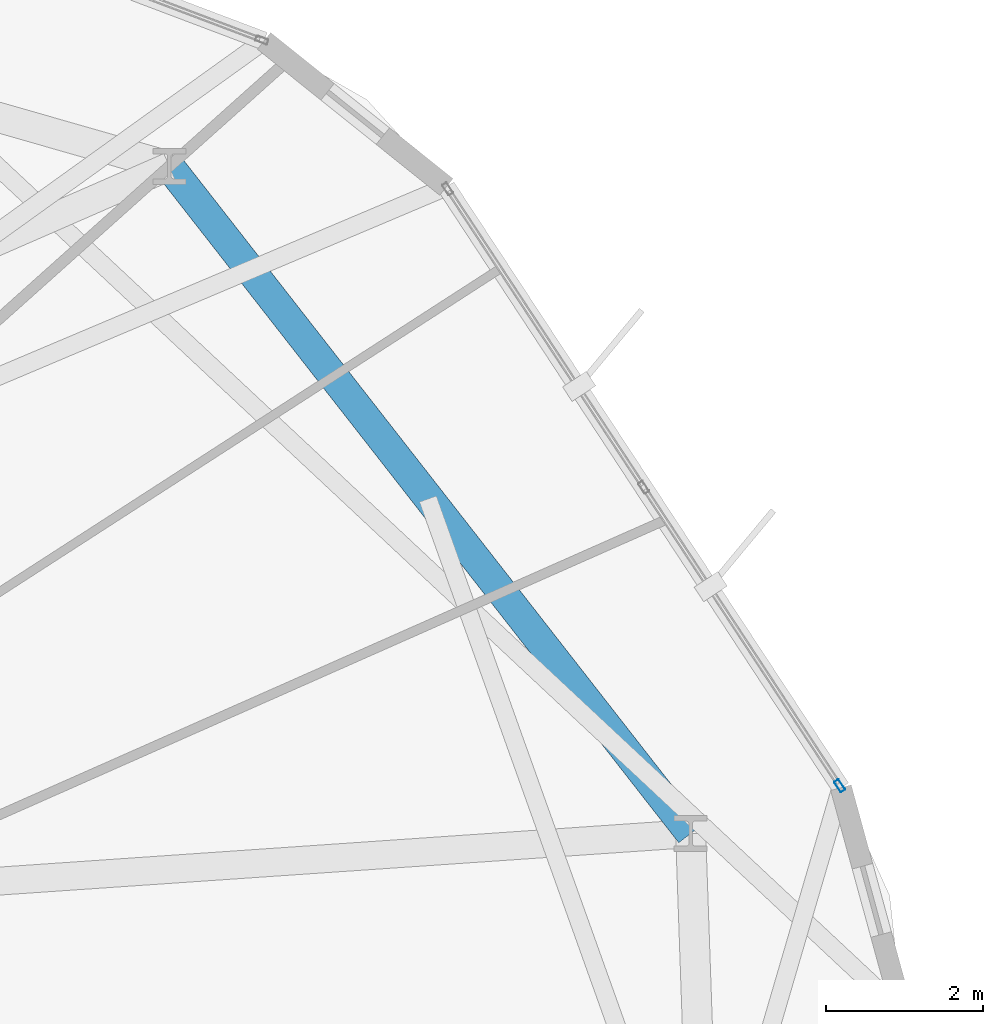
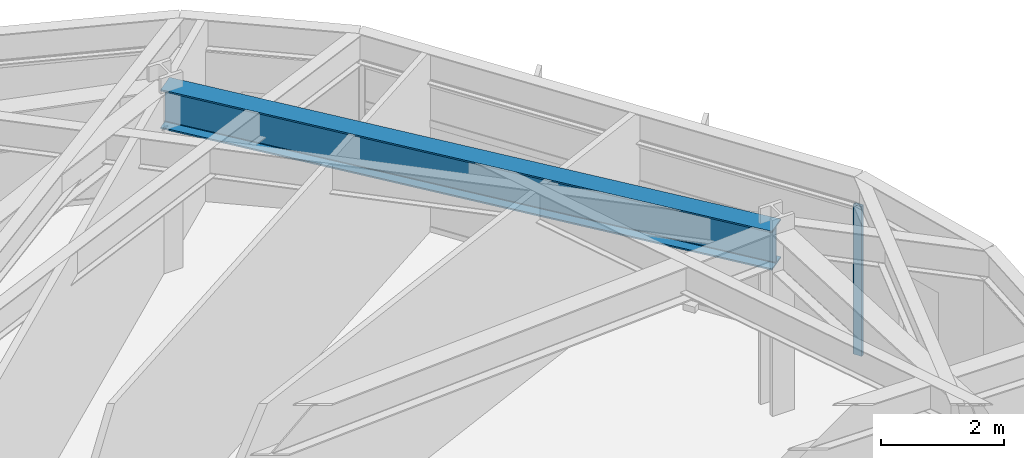
# One storey, part 12 of 25: 1 beam, 1 member, 1 element without a shape of its own.
"""IFC4 building model written with IfcOpenShell, lengths in metres."""

import ifcopenshell
import ifcopenshell.guid

model = None  # the IFC model being written
_history = None  # IfcOwnerHistory: only IFC2X3 demands one
_inside = {}  # id of a spatial element -> (the spatial element, [elements in it])
_under = {}  # id of a project, library or spatial element -> (it, [spatial elements below it])
_declared = {}  # id of a project -> (the project, [libraries it declares])
_typed = {}  # id of a type object -> (the type object, [elements of that type])
_made_of = {}  # id of a material, layer set ... -> (it, [elements and type objects made of it])


def new_model(schema):
    """Start an empty IFC model of exactly this schema.

    Asked for "IFC4X3", IfcOpenShell would pick the latest addendum, in which some entities
    have other attributes; the version numbers below select the first issue.
    IFC2X3 requires an IfcOwnerHistory on every rooted entity: one is made here for all.
    """
    global model, _history
    if schema == "IFC4X3":
        model = ifcopenshell.file(schema_version=(4, 3, 0, 0))
    else:
        model = ifcopenshell.file(schema=schema)
    _inside.clear()
    _under.clear()
    _declared.clear()
    _typed.clear()
    _made_of.clear()
    _history = None
    if model.schema == "IFC2X3":
        org = make("IfcOrganization", Name="unknown")
        user = make(
            "IfcPersonAndOrganization",
            ThePerson=make("IfcPerson", FamilyName="unknown"),
            TheOrganization=org,
        )
        app = make(
            "IfcApplication",
            ApplicationDeveloper=org,
            Version="unknown",
            ApplicationFullName="unknown",
            ApplicationIdentifier="unknown",
        )
        _history = make(
            "IfcOwnerHistory",
            OwningUser=user,
            OwningApplication=app,
            ChangeAction="ADDED",
            CreationDate=0,
        )
    return model


def make(cls, **values):
    """One entity of the class cls with the attributes given. An attribute that is None is left unset."""
    return model.create_entity(
        cls, **{name: value for name, value in values.items() if value is not None}
    )


def rooted(cls, **values):
    """An entity with a GlobalId (a new one), such as an element, a storey or a relation."""
    return make(cls, GlobalId=ifcopenshell.guid.new(), OwnerHistory=_history, **values)


def si_unit(unit_type, name, prefix=None):
    """IfcSIUnit, for example si_unit("LENGTHUNIT", "METRE", prefix="MILLI")."""
    return make("IfcSIUnit", UnitType=unit_type, Prefix=prefix, Name=name)


def assignment(units):
    """IfcUnitAssignment: the units of a project."""
    return None if units is None else make("IfcUnitAssignment", Units=units)


def point(xyz):
    """IfcCartesianPoint."""
    return None if xyz is None else make("IfcCartesianPoint", Coordinates=xyz)


def direction(xyz):
    """IfcDirection."""
    return None if xyz is None else make("IfcDirection", DirectionRatios=xyz)


def frame(location, z_axis=None, x_axis=None):
    """IfcAxis2Placement3D, a coordinate frame: its origin and axes. An axis left out is left unset."""
    return make(
        "IfcAxis2Placement3D",
        Location=point(location),
        Axis=direction(z_axis),
        RefDirection=direction(x_axis),
    )


def frame_2d(location, x_axis=None):
    """IfcAxis2Placement2D, a coordinate frame in the plane: its origin and x axis."""
    return make(
        "IfcAxis2Placement2D", Location=point(location), RefDirection=direction(x_axis)
    )


def origin():
    """The frame at (0, 0, 0) with its axes left unset."""
    return frame((0.0, 0.0, 0.0))


def origin_2d():
    """The frame at (0, 0) in the plane with its x axis left unset."""
    return frame_2d((0.0, 0.0))


def place(relative_to, where):
    """IfcLocalPlacement: puts the frame where relative to a parent placement (None: the world)."""
    return make(
        "IfcLocalPlacement", PlacementRelTo=relative_to, RelativePlacement=where
    )


def context(
    kind, dimensions, precision=None, world=None, true_north=None, identifier=None
):
    """IfcGeometricRepresentationContext, for example the 3D "Model" context."""
    return make(
        "IfcGeometricRepresentationContext",
        ContextIdentifier=identifier,
        ContextType=kind,
        CoordinateSpaceDimension=dimensions,
        Precision=precision,
        WorldCoordinateSystem=world,
        TrueNorth=true_north,
    )


def subcontext(parent, identifier, kind, view, scale=None):
    """IfcGeometricRepresentationSubContext, for example "Body" below "Model"."""
    return make(
        "IfcGeometricRepresentationSubContext",
        ContextIdentifier=identifier,
        ContextType=kind,
        ParentContext=parent,
        TargetScale=scale,
        TargetView=view,
    )


def project(units=None, contexts=None):
    """IfcProject with its units and contexts."""
    return rooted(
        "IfcProject",
        Name="project",
        RepresentationContexts=contexts,
        UnitsInContext=assignment(units),
    )


def spatial(cls, under=None, at=None, **own):
    """A site, building, storey or space (cls), placed at a placement, below another one or the project."""
    s = rooted(cls, ObjectPlacement=at, **own)
    if under is not None:
        _under.setdefault(under.id(), (under, []))[1].append(s)
    return s


def profile(cls, at=None, kind="AREA", **sizes):
    """A parametric profile (cls). Its sizes go by their IFC names, for example OverallWidth=200.0."""
    return make(cls, ProfileType=kind, Position=at, **sizes)


def hollow_rectangle(**sizes):
    """IfcRectangleHollowProfileDef."""
    return profile("IfcRectangleHollowProfileDef", **sizes)


def i_section(**sizes):
    """IfcIShapeProfileDef."""
    return profile("IfcIShapeProfileDef", **sizes)


def extrude(swept, where, along, depth):
    """IfcExtrudedAreaSolid: the profile swept, set in the frame where, extruded along a direction by depth."""
    return make(
        "IfcExtrudedAreaSolid",
        SweptArea=swept,
        Position=where,
        ExtrudedDirection=direction(along),
        Depth=depth,
    )


def shape(context_of_items, identifier, shape_type, items):
    """IfcShapeRepresentation: the items that make up one representation, for example the "Body"."""
    return make(
        "IfcShapeRepresentation",
        ContextOfItems=context_of_items,
        RepresentationIdentifier=identifier,
        RepresentationType=shape_type,
        Items=items,
    )


def material(Name=None, Category=None):
    """IfcMaterial."""
    return make("IfcMaterial", Name=Name, Category=Category)


def layer(
    of_material, thickness, ventilated=None, Name=None, Category=None, Priority=None
):
    """IfcMaterialLayer: one layer of a wall or slab, of a material (None: an air gap)."""
    return make(
        "IfcMaterialLayer",
        Material=of_material,
        LayerThickness=thickness,
        IsVentilated=ventilated,
        Name=Name,
        Category=Category,
        Priority=Priority,
    )


def layer_set(layers, Name=None):
    """IfcMaterialLayerSet."""
    return make("IfcMaterialLayerSet", MaterialLayers=layers, LayerSetName=Name)


def material_profile(
    of_material, cross_section, Name=None, Category=None, Priority=None
):
    """IfcMaterialProfile: a cross section and its material."""
    return make(
        "IfcMaterialProfile",
        Name=Name,
        Material=of_material,
        Profile=cross_section,
        Priority=Priority,
        Category=Category,
    )


def profile_set(profiles, Name=None, composite=None):
    """IfcMaterialProfileSet."""
    return make(
        "IfcMaterialProfileSet",
        Name=Name,
        MaterialProfiles=profiles,
        CompositeProfile=composite,
    )


def made_of(thing, what):
    """Note that an element or type object is made of a material, layer set ...; save() writes the relation."""
    if what is not None:
        _made_of.setdefault(what.id(), (what, []))[1].append(thing)
    return thing


def type_object(cls, material=None, **own):
    """A type object (cls), such as IfcWallType, which elements share."""
    return made_of(rooted(cls, **own), material)


def element(
    cls,
    number,
    at=None,
    inside=None,
    cuts=None,
    type_object=None,
    material=None,
    context=None,
    identifier="Body",
    shape_type=None,
    held_by="IfcProductDefinitionShape",
    body=None,
    shapes=None,
    **own,
):
    """One element of the class cls, such as IfcWall. Its Tag is "e" and its number.

    at: its placement. inside: the storey or other place that contains it. cuts: it is an
    opening in that element (IfcRelVoidsElement). A single representation is given by context,
    identifier, shape_type and body (its items); several are given by shapes. held_by: the class
    of the entity that holds the representations. save() writes the other relations.
    """
    e = rooted(cls, Tag="e%d" % number, ObjectPlacement=at, **own)
    if body is not None:
        shapes = [shape(context, identifier, shape_type, body)]
    if shapes is not None:
        e.Representation = make(held_by, Representations=shapes)
    if inside is not None:
        _inside.setdefault(inside.id(), (inside, []))[1].append(e)
    if cuts is not None:
        rooted(
            "IfcRelVoidsElement", RelatingBuildingElement=cuts, RelatedOpeningElement=e
        )
    if type_object is not None:
        _typed.setdefault(type_object.id(), (type_object, []))[1].append(e)
    return made_of(e, material)


def aggregate(whole, parts):
    """IfcRelAggregates: a whole, such as a stair, and the parts it consists of."""
    return rooted("IfcRelAggregates", RelatingObject=whole, RelatedObjects=parts)


def save(model, path):
    """Write the relations noted so far, then the file.

    IfcRelAggregates (storeys below a building ...), IfcRelContainedInSpatialStructure (elements
    in a storey), IfcRelDefinesByType, IfcRelAssociatesMaterial and IfcRelDeclares: one each for
    every whole, place, type object, material and project.
    """
    for whole, parts in _under.values():
        aggregate(whole, parts)
    for where, things in _inside.values():
        rooted(
            "IfcRelContainedInSpatialStructure",
            RelatedElements=things,
            RelatingStructure=where,
        )
    for kind, things in _typed.values():
        rooted("IfcRelDefinesByType", RelatedObjects=things, RelatingType=kind)
    for what, things in _made_of.values():
        rooted("IfcRelAssociatesMaterial", RelatedObjects=things, RelatingMaterial=what)
    for by, libraries in _declared.values():
        rooted("IfcRelDeclares", RelatingContext=by, RelatedDefinitions=libraries)
    model.write(path)


model = new_model("IFC4")

# Units and contexts
model_context = context("Model", 3, precision=1e-05, world=origin(), true_north=direction((0.0, 1.0)))
body_context = subcontext(model_context, "Body", "Model", "MODEL_VIEW")
ifc_project = project(units=[si_unit("LENGTHUNIT", "METRE"), si_unit("AREAUNIT", "SQUARE_METRE"), si_unit("VOLUMEUNIT", "CUBIC_METRE"), si_unit("PLANEANGLEUNIT", "RADIAN"), si_unit("MASSUNIT", "GRAM", prefix="KILO")], contexts=[model_context])

# Site, building, storey
site_placement = place(None, origin())
site = spatial("IfcSite", under=ifc_project, at=site_placement, CompositionType="ELEMENT")
building_placement = place(site_placement, origin())
building = spatial("IfcBuilding", under=site, at=building_placement, Name="Soratama Intermodal Tower", CompositionType="ELEMENT")
storey_placement = place(building_placement, frame((0.0, 0.0, 87.39990234375)))
storey = spatial("IfcBuildingStorey", under=building, at=storey_placement, Name="L20", CompositionType="ELEMENT", Elevation=87.39990234375)

# Beam
ifc_material_1 = material(Name="Structural steel ASTM A992 Grade 50", Category="steel")
ifc_material_profile_1 = material_profile(ifc_material_1, i_section(OverallWidth=0.382080078125, OverallDepth=0.779052734375, WebThickness=0.01806640625, FlangeThickness=0.030029296875, FilletRadius=0.01806640625, at=origin_2d()), Name="W30X191")
ifc_profile_set_1 = profile_set([ifc_material_profile_1], Name="Structural steel ASTM A992 Grade 50")
beam_type = type_object("IfcBeamType", Name="BM-RING-W30X191", PredefinedType="BEAM", material=ifc_profile_set_1)
beam_placement = place(storey_placement, frame((61.35107421875, 30.950927734375, 3.210693359375), z_axis=(-0.615683690883, 0.787993396407, 0.0), x_axis=(-0.787993396407, -0.615683690883, 0.0)))
element("IfcBeam", 1, at=beam_placement, inside=storey, type_object=beam_type, Name="BM-L20-RING-01", PredefinedType="BEAM", context=body_context, shape_type="SweptSolid", body=[
    extrude(i_section(OverallWidth=0.382080078125, OverallDepth=0.779052734375, WebThickness=0.01806640625, FlangeThickness=0.030029296875, FilletRadius=0.01806640625, at=origin_2d()), origin(), (0.0, 0.0, 1.0), 10.754150390625),
])

# Curtain wall, member
ifc_material_2 = material(Name="Double-glazed aluminium curtain wall", Category="aluminium")
ifc_layer = layer(ifc_material_2, 0.159912109375)
ifc_layer_set = layer_set([ifc_layer], Name="Double-glazed aluminium curtain wall")
curtain_wall_type = type_object("IfcCurtainWallType", Name="CW-SYS-3", PredefinedType="NOTDEFINED", material=ifc_layer_set)
curtain_wall_placement = place(storey_placement, origin())
curtain_wall = element("IfcCurtainWall", 2, at=curtain_wall_placement, inside=storey, type_object=curtain_wall_type, Name="L20 Faceted Curtain Wall F01", PredefinedType="NOTDEFINED")
ifc_material_3 = material(Name="Anodised aluminium AA 6063-T6", Category="aluminium")
ifc_material_profile_2 = material_profile(ifc_material_3, hollow_rectangle(XDim=0.070068359375, YDim=0.159912109375, WallThickness=0.0048828125, InnerFilletRadius=0.0048828125, OuterFilletRadius=0.010009765625, at=origin_2d()), Name="CWM160X70X5")
ifc_profile_set_2 = profile_set([ifc_material_profile_2], Name="Anodised aluminium AA 6063-T6")
member_type = type_object("IfcMemberType", Name="MT-CWM-3", PredefinedType="MULLION", material=ifc_profile_set_2)
member_placement = place(storey_placement, frame((63.24365234375, 31.558349609375, 0.0), z_axis=(0.0, 0.0, 1.0), x_axis=(-0.835807444082, -0.549022692078, 0.0)))
member = element("IfcMember", 3, at=member_placement, type_object=member_type, Name="CW-3 mullion 1", PredefinedType="MULLION", context=body_context, shape_type="SweptSolid", body=[
    extrude(hollow_rectangle(XDim=0.070068359375, YDim=0.159912109375, WallThickness=0.0048828125, InnerFilletRadius=0.0048828125, OuterFilletRadius=0.010009765625, at=origin_2d()), origin(), (0.0, 0.0, 1.0), 2.97900390625),
])
aggregate(curtain_wall, [member])

save(model, "model.ifc")
